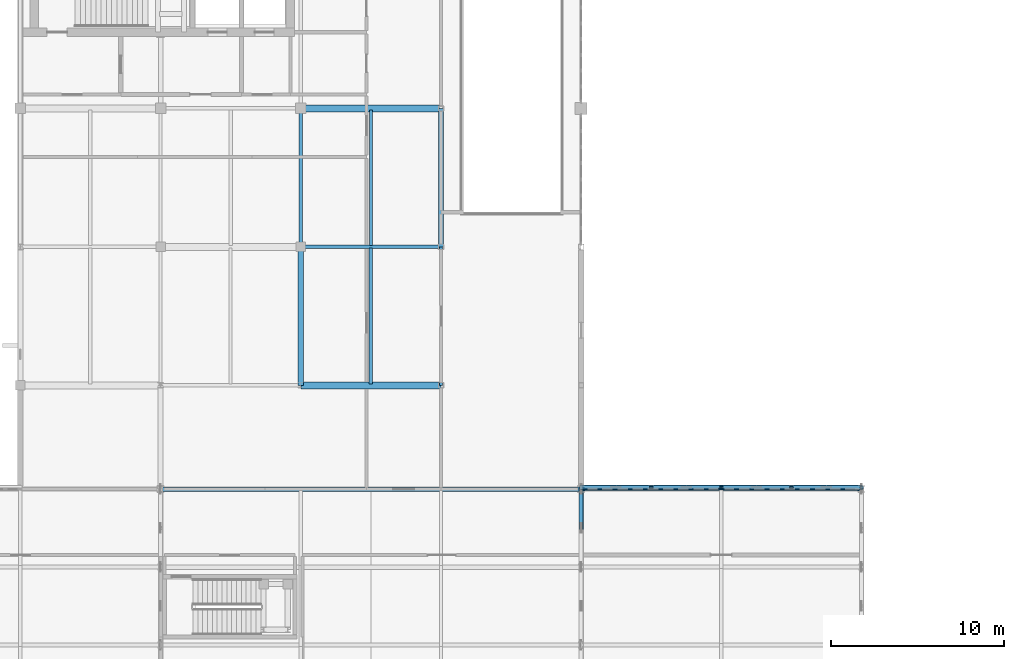
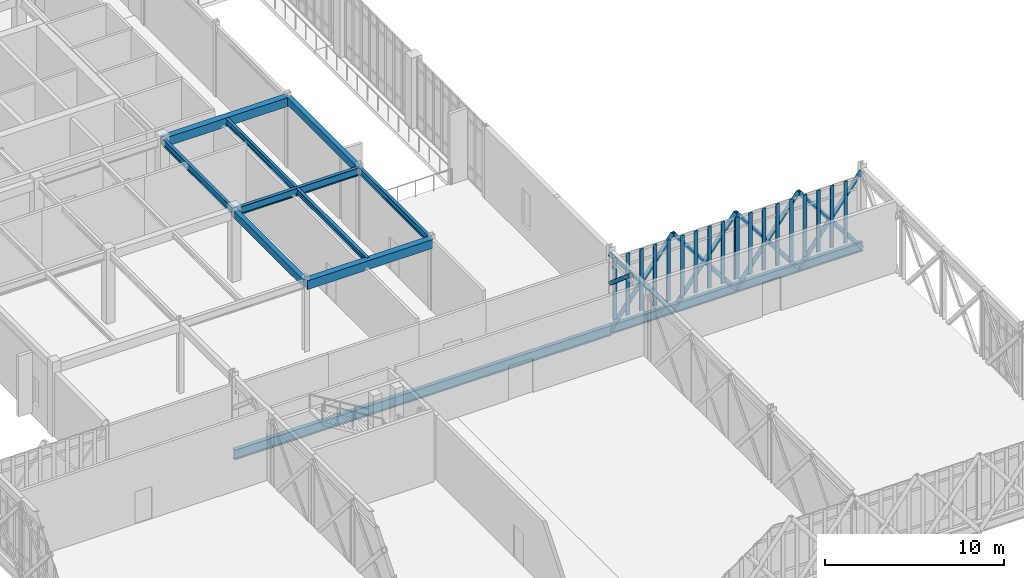
# One storey, part 22 of 107: 32 members, 11 beams, 2 elements without a shape of their own.
"""IFC4 building model written with IfcOpenShell, lengths in metres."""

from ifc_helpers import new_model, si_unit, direction, frame, origin, origin_2d, place, context, subcontext, project, spatial, rectangle, hollow_rectangle, hollow_circle, i_section, extrude, material, material_profile, profile_set, type_object, element, aggregate, save


model = new_model("IFC4")

# Units and contexts
model_context = context("Model", 3, precision=1e-05, world=origin(), true_north=direction((0.0, 1.0)))
body_context = subcontext(model_context, "Body", "Model", "MODEL_VIEW")
ifc_project = project(units=[si_unit("LENGTHUNIT", "METRE"), si_unit("AREAUNIT", "SQUARE_METRE"), si_unit("VOLUMEUNIT", "CUBIC_METRE"), si_unit("PLANEANGLEUNIT", "RADIAN"), si_unit("MASSUNIT", "GRAM", prefix="KILO")], contexts=[model_context])

# Site, building, storey
site_placement = place(None, origin())
site = spatial("IfcSite", under=ifc_project, at=site_placement, CompositionType="ELEMENT")
building_placement = place(site_placement, origin())
building = spatial("IfcBuilding", under=site, at=building_placement, Name="Tarnveldt Square Police Headquarters", CompositionType="ELEMENT")
storey_placement = place(building_placement, frame((0.0, 0.0, 14.699951171875)))
storey = spatial("IfcBuildingStorey", under=building, at=storey_placement, Name="L03", CompositionType="ELEMENT", Elevation=14.699951171875)

# Beams
ifc_material_1 = material(Name="Concrete 40 MPa", Category="concrete")
ifc_material_profile_1 = material_profile(ifc_material_1, rectangle(XDim=0.300048828125, YDim=0.5, at=origin_2d()), Name="RC-B300x500")
ifc_profile_set_1 = profile_set([ifc_material_profile_1], Name="Concrete 40 MPa")
beam_type_1 = type_object("IfcBeamType", Name="BM-RC300x500", PredefinedType="BEAM", material=ifc_profile_set_1)
for number, where, z_axis, x_axis, name in (
    (1, (32.39990234375, 40.0, 4.590087890625), (0.0, 1.0, 0.0), (-1.0, 0.0, 0.0), "L04 Grid Girder Y-0877"),
    (2, (40.5, 48.0, 4.590087890625), (0.0, 1.0, 0.0), (-1.0, 0.0, 0.0), "L04 Grid Girder Y-0886"),
):
    element("IfcBeam", number, at=place(storey_placement, frame(where, z_axis=z_axis, x_axis=x_axis)), inside=storey, type_object=beam_type_1, Name=name, PredefinedType="BEAM", context=body_context, shape_type="SweptSolid", body=[
        extrude(rectangle(XDim=0.300048828125, YDim=0.5, at=origin_2d()), origin(), (0.0, 0.0, 1.0), 8.0),
    ])
ifc_material_profile_2 = material_profile(ifc_material_1, rectangle(XDim=0.39990234375, YDim=0.60009765625, at=origin_2d()), Name="RC-B400x600")
ifc_profile_set_2 = profile_set([ifc_material_profile_2], Name="Concrete 40 MPa")
beam_type_2 = type_object("IfcBeamType", Name="BM-RC400x600", PredefinedType="BEAM", material=ifc_profile_set_2)
for number, where, z_axis, x_axis, name in (
    (3, (32.39990234375, 40.0, 4.5400390625), (1.0, 0.0, 0.0), (0.0, 1.0, 0.0), "L04 Grid Girder X-0808"),
    (4, (32.39990234375, 56.0, 4.5400390625), (1.0, 0.0, 0.0), (0.0, 1.0, 0.0), "L04 Grid Girder X-0814"),
):
    element("IfcBeam", number, at=place(storey_placement, frame(where, z_axis=z_axis, x_axis=x_axis)), inside=storey, type_object=beam_type_2, Name=name, PredefinedType="BEAM", context=body_context, shape_type="SweptSolid", body=[
        extrude(rectangle(XDim=0.39990234375, YDim=0.60009765625, at=origin_2d()), origin(), (0.0, 0.0, 1.0), 8.10009765625),
    ])
ifc_material_2 = material(Name="Steel 350W", Category="steel")
ifc_material_profile_3 = material_profile(ifc_material_2, i_section(OverallWidth=0.205078125, OverallDepth=0.35400390625, WebThickness=0.009521484375, FlangeThickness=0.016845703125, FilletRadius=0.01611328125, at=origin_2d()), Name="W360x79")
ifc_profile_set_3 = profile_set([ifc_material_profile_3], Name="Steel 350W")
beam_type_3 = type_object("IfcBeamType", Name="BM-W360x79", PredefinedType="JOIST", material=ifc_profile_set_3)
beam_1_placement = place(storey_placement, frame((36.449951171875, 40.080078125, 4.6630859375), z_axis=(0.0, 1.0, 0.0), x_axis=(-1.0, 0.0, 0.0)))
element("IfcBeam", 5, at=beam_1_placement, inside=storey, type_object=beam_type_3, Name="L04 Secondary Floor Joist 0182", PredefinedType="JOIST", context=body_context, shape_type="SweptSolid", body=[
    extrude(i_section(OverallWidth=0.205078125, OverallDepth=0.35400390625, WebThickness=0.009521484375, FlangeThickness=0.016845703125, FilletRadius=0.01611328125, at=origin_2d()), origin(), (0.0, 0.0, 1.0), 7.83984375),
])
ifc_material_profile_4 = material_profile(ifc_material_2, i_section(OverallWidth=0.177978515625, OverallDepth=0.406982421875, WebThickness=0.0078125, FlangeThickness=0.0126953125, FilletRadius=0.01611328125, at=origin_2d()), Name="W410x60")
ifc_profile_set_4 = profile_set([ifc_material_profile_4], Name="Steel 350W")
beam_type_4 = type_object("IfcBeamType", Name="BM-W410x60", PredefinedType="JOIST", material=ifc_profile_set_4)
beam_2_placement = place(storey_placement, frame((36.449951171875, 48.080078125, 4.636474609375), z_axis=(0.0, 1.0, 0.0), x_axis=(-1.0, 0.0, 0.0)))
element("IfcBeam", 6, at=beam_2_placement, inside=storey, type_object=beam_type_4, Name="L04 Secondary Floor Joist 0185", PredefinedType="JOIST", context=body_context, shape_type="SweptSolid", body=[
    extrude(i_section(OverallWidth=0.177978515625, OverallDepth=0.406982421875, WebThickness=0.0078125, FlangeThickness=0.0126953125, FilletRadius=0.01611328125, at=origin_2d()), origin(), (0.0, 0.0, 1.0), 7.83984375),
])
ifc_material_profile_5 = material_profile(ifc_material_2, i_section(OverallWidth=0.19189453125, OverallDepth=0.462890625, WebThickness=0.010498046875, FlangeThickness=0.017578125, FilletRadius=0.01806640625, at=origin_2d()), Name="W460x89")
ifc_profile_set_5 = profile_set([ifc_material_profile_5], Name="Steel 350W")
beam_type_5 = type_object("IfcBeamType", Name="BM-W460x89", PredefinedType="BEAM", material=ifc_profile_set_5)
for number, where, z_axis, x_axis, name in (
    (7, (32.39990234375, 48.0, 4.608642578125), (0.0, 1.0, 0.0), (-1.0, 0.0, 0.0), "L04 Grid Girder Y-0878"),
    (8, (40.5, 40.0, 4.608642578125), (0.0, 1.0, 0.0), (-1.0, 0.0, 0.0), "L04 Grid Girder Y-0885"),
):
    element("IfcBeam", number, at=place(storey_placement, frame(where, z_axis=z_axis, x_axis=x_axis)), inside=storey, type_object=beam_type_5, Name=name, PredefinedType="BEAM", context=body_context, shape_type="SweptSolid", body=[
        extrude(i_section(OverallWidth=0.19189453125, OverallDepth=0.462890625, WebThickness=0.010498046875, FlangeThickness=0.017578125, FilletRadius=0.01806640625, at=origin_2d()), origin(), (0.0, 0.0, 1.0), 8.0),
    ])
ifc_material_profile_6 = material_profile(ifc_material_2, i_section(OverallWidth=0.208984375, OverallDepth=0.532958984375, WebThickness=0.01025390625, FlangeThickness=0.015625, FilletRadius=0.01904296875, at=origin_2d()), Name="W530x92")
ifc_profile_set_6 = profile_set([ifc_material_profile_6], Name="Steel 350W")
beam_type_6 = type_object("IfcBeamType", Name="BM-W530x92", PredefinedType="BEAM", material=ifc_profile_set_6)
beam_3_placement = place(storey_placement, frame((32.39990234375, 48.0, 4.573486328125), z_axis=(1.0, 0.0, 0.0), x_axis=(0.0, 1.0, 0.0)))
element("IfcBeam", 9, at=beam_3_placement, inside=storey, type_object=beam_type_6, Name="L04 Grid Girder X-0811", PredefinedType="BEAM", context=body_context, shape_type="SweptSolid", body=[
    extrude(i_section(OverallWidth=0.208984375, OverallDepth=0.532958984375, WebThickness=0.01025390625, FlangeThickness=0.015625, FilletRadius=0.01904296875, at=origin_2d()), origin(), (0.0, 0.0, 1.0), 8.10009765625),
])
ifc_material_profile_7 = material_profile(ifc_material_2, i_section(OverallWidth=0.22900390625, OverallDepth=0.612060546875, WebThickness=0.011962890625, FlangeThickness=0.01953125, FilletRadius=0.01904296875, at=origin_2d()), Name="W610x125")
ifc_profile_set_7 = profile_set([ifc_material_profile_7], Name="Steel 350W")
beam_type_7 = type_object("IfcBeamType", Name="BM-W610x125", PredefinedType="BEAM", material=ifc_profile_set_7)
beam_4_placement = place(storey_placement, frame((48.60009765625, 34.0, -0.56591796875), z_axis=(1.0, 0.0, 0.0), x_axis=(0.0, 1.0, 0.0)))
element("IfcBeam", 10, at=beam_4_placement, inside=storey, type_object=beam_type_7, Name="Command Lantern L03 Transverse Girder 3.0", PredefinedType="BEAM", context=body_context, shape_type="SweptSolid", body=[
    extrude(i_section(OverallWidth=0.22900390625, OverallDepth=0.612060546875, WebThickness=0.011962890625, FlangeThickness=0.01953125, FilletRadius=0.01904296875, at=origin_2d()), origin(), (0.0, 0.0, 1.0), 16.199951171875),
])
ifc_material_profile_8 = material_profile(ifc_material_2, i_section(OverallWidth=0.25390625, OverallDepth=0.68798828125, WebThickness=0.01318359375, FlangeThickness=0.02099609375, FilletRadius=0.02001953125, at=origin_2d()), Name="W690x152")
ifc_profile_set_8 = profile_set([ifc_material_profile_8], Name="Steel 350W")
beam_type_8 = type_object("IfcBeamType", Name="BM-W690x152", PredefinedType="BEAM", material=ifc_profile_set_8)
beam_5_placement = place(storey_placement, frame((24.300048828125, 34.0, -0.60400390625), z_axis=(1.0, 0.0, 0.0), x_axis=(0.0, 1.0, 0.0)))
element("IfcBeam", 11, at=beam_5_placement, inside=storey, type_object=beam_type_8, Name="Command Lantern L03 Transverse Girder 2.0", PredefinedType="BEAM", context=body_context, shape_type="SweptSolid", body=[
    extrude(i_section(OverallWidth=0.25390625, OverallDepth=0.68798828125, WebThickness=0.01318359375, FlangeThickness=0.02099609375, FilletRadius=0.02001953125, at=origin_2d()), origin(), (0.0, 0.0, 1.0), 24.300048828125),
])

# Curtain wall, members
ifc_material_3 = material(Name="UL 752 Level III laminated ballistic vision glass", Category="glass")
curtain_wall_type = type_object("IfcCurtainWallType", Name="CW-BL-790x422", PredefinedType="USERDEFINED", material=ifc_material_3)
curtain_wall_1_placement = place(storey_placement, origin())
curtain_wall_1 = element("IfcCurtainWall", 12, at=curtain_wall_1_placement, inside=storey, type_object=curtain_wall_type, Name="L03 Curtain Wall CW-L03-031", ObjectType="BALLISTIC CURTAIN WALL", PredefinedType="USERDEFINED")
ifc_material_4 = material(Name="Thermally broken anodised aluminium 6063-T6", Category="aluminium")
ifc_material_profile_9 = material_profile(ifc_material_4, rectangle(XDim=0.0849609375, YDim=0.239990234375, at=origin_2d()), Name="CW-M85x240")
ifc_profile_set_9 = profile_set([ifc_material_profile_9], Name="Thermally broken anodised aluminium 6063-T6")
member_type_1 = type_object("IfcMemberType", Name="CWM-85x240", PredefinedType="MULLION", material=ifc_profile_set_9)
member_1_placement = place(storey_placement, frame((48.844482421875, 34.0, 0.0), z_axis=(0.0, 0.0, 1.0), x_axis=(0.0, 1.0, 0.0)))
member_1 = element("IfcMember", 13, at=member_1_placement, type_object=member_type_1, Name="CW-BL14 mullion 1", PredefinedType="MULLION", context=body_context, shape_type="SweptSolid", body=[
    extrude(rectangle(XDim=0.0849609375, YDim=0.239990234375, at=origin_2d()), origin(), (0.0, 0.0, 1.0), 4.219970703125),
])
member_2_placement = place(storey_placement, frame((49.679443359375, 34.0, 0.0), z_axis=(0.0, 0.0, 1.0), x_axis=(0.0, 1.0, 0.0)))
member_2 = element("IfcMember", 14, at=member_2_placement, type_object=member_type_1, Name="CW-BL14 mullion 2", PredefinedType="MULLION", context=body_context, shape_type="SweptSolid", body=[
    extrude(rectangle(XDim=0.0849609375, YDim=0.239990234375, at=origin_2d()), origin(), (0.0, 0.0, 1.0), 4.219970703125),
])
member_3_placement = place(storey_placement, frame((50.55712890625, 34.0, 0.0), z_axis=(0.0, 0.0, 1.0), x_axis=(0.0, 1.0, 0.0)))
member_3 = element("IfcMember", 15, at=member_3_placement, type_object=member_type_1, Name="CW-BL14 mullion 3", PredefinedType="MULLION", context=body_context, shape_type="SweptSolid", body=[
    extrude(rectangle(XDim=0.0849609375, YDim=0.239990234375, at=origin_2d()), origin(), (0.0, 0.0, 1.0), 4.219970703125),
])
member_4_placement = place(storey_placement, frame((51.4345703125, 34.0, 0.0), z_axis=(0.0, 0.0, 1.0), x_axis=(0.0, 1.0, 0.0)))
member_4 = element("IfcMember", 16, at=member_4_placement, type_object=member_type_1, Name="CW-BL14 mullion 4", PredefinedType="MULLION", context=body_context, shape_type="SweptSolid", body=[
    extrude(rectangle(XDim=0.0849609375, YDim=0.239990234375, at=origin_2d()), origin(), (0.0, 0.0, 1.0), 4.219970703125),
])
member_5_placement = place(storey_placement, frame((52.312255859375, 34.0, 0.0), z_axis=(0.0, 0.0, 1.0), x_axis=(0.0, 1.0, 0.0)))
member_5 = element("IfcMember", 17, at=member_5_placement, type_object=member_type_1, Name="CW-BL14 mullion 5", PredefinedType="MULLION", context=body_context, shape_type="SweptSolid", body=[
    extrude(rectangle(XDim=0.0849609375, YDim=0.239990234375, at=origin_2d()), origin(), (0.0, 0.0, 1.0), 4.219970703125),
])
member_6_placement = place(storey_placement, frame((53.189697265625, 34.0, 0.0), z_axis=(0.0, 0.0, 1.0), x_axis=(0.0, 1.0, 0.0)))
member_6 = element("IfcMember", 18, at=member_6_placement, type_object=member_type_1, Name="CW-BL14 mullion 6", PredefinedType="MULLION", context=body_context, shape_type="SweptSolid", body=[
    extrude(rectangle(XDim=0.0849609375, YDim=0.239990234375, at=origin_2d()), origin(), (0.0, 0.0, 1.0), 4.219970703125),
])
member_7_placement = place(storey_placement, frame((54.0673828125, 34.0, 0.0), z_axis=(0.0, 0.0, 1.0), x_axis=(0.0, 1.0, 0.0)))
member_7 = element("IfcMember", 19, at=member_7_placement, type_object=member_type_1, Name="CW-BL14 mullion 7", PredefinedType="MULLION", context=body_context, shape_type="SweptSolid", body=[
    extrude(rectangle(XDim=0.0849609375, YDim=0.239990234375, at=origin_2d()), origin(), (0.0, 0.0, 1.0), 4.219970703125),
])
member_8_placement = place(storey_placement, frame((54.94482421875, 34.0, 0.0), z_axis=(0.0, 0.0, 1.0), x_axis=(0.0, 1.0, 0.0)))
member_8 = element("IfcMember", 20, at=member_8_placement, type_object=member_type_1, Name="CW-BL14 mullion 8", PredefinedType="MULLION", context=body_context, shape_type="SweptSolid", body=[
    extrude(rectangle(XDim=0.0849609375, YDim=0.239990234375, at=origin_2d()), origin(), (0.0, 0.0, 1.0), 4.219970703125),
])
member_9_placement = place(storey_placement, frame((55.822509765625, 34.0, 0.0), z_axis=(0.0, 0.0, 1.0), x_axis=(0.0, 1.0, 0.0)))
member_9 = element("IfcMember", 21, at=member_9_placement, type_object=member_type_1, Name="CW-BL14 mullion 9", PredefinedType="MULLION", context=body_context, shape_type="SweptSolid", body=[
    extrude(rectangle(XDim=0.0849609375, YDim=0.239990234375, at=origin_2d()), origin(), (0.0, 0.0, 1.0), 4.219970703125),
])
member_10_placement = place(storey_placement, frame((56.657470703125, 34.0, 0.0), z_axis=(0.0, 0.0, 1.0), x_axis=(0.0, 1.0, 0.0)))
member_10 = element("IfcMember", 22, at=member_10_placement, type_object=member_type_1, Name="CW-BL14 mullion 10", PredefinedType="MULLION", context=body_context, shape_type="SweptSolid", body=[
    extrude(rectangle(XDim=0.0849609375, YDim=0.239990234375, at=origin_2d()), origin(), (0.0, 0.0, 1.0), 4.219970703125),
])
aggregate(curtain_wall_1, [member_1, member_2, member_3, member_4, member_5, member_6, member_7, member_8, member_9, member_10])

curtain_wall_2_placement = place(storey_placement, origin())
curtain_wall_2 = element("IfcCurtainWall", 23, at=curtain_wall_2_placement, inside=storey, type_object=curtain_wall_type, Name="L03 Curtain Wall CW-L03-032", ObjectType="BALLISTIC CURTAIN WALL", PredefinedType="USERDEFINED")
member_11_placement = place(storey_placement, frame((56.742431640625, 34.0, 0.0), z_axis=(0.0, 0.0, 1.0), x_axis=(0.0, 1.0, 0.0)))
member_11 = element("IfcMember", 24, at=member_11_placement, type_object=member_type_1, Name="CW-BL14 mullion 1", PredefinedType="MULLION", context=body_context, shape_type="SweptSolid", body=[
    extrude(rectangle(XDim=0.0849609375, YDim=0.239990234375, at=origin_2d()), origin(), (0.0, 0.0, 1.0), 4.219970703125),
])
member_12_placement = place(storey_placement, frame((57.57763671875, 34.0, 0.0), z_axis=(0.0, 0.0, 1.0), x_axis=(0.0, 1.0, 0.0)))
member_12 = element("IfcMember", 25, at=member_12_placement, type_object=member_type_1, Name="CW-BL14 mullion 2", PredefinedType="MULLION", context=body_context, shape_type="SweptSolid", body=[
    extrude(rectangle(XDim=0.0849609375, YDim=0.239990234375, at=origin_2d()), origin(), (0.0, 0.0, 1.0), 4.219970703125),
])
member_13_placement = place(storey_placement, frame((58.455078125, 34.0, 0.0), z_axis=(0.0, 0.0, 1.0), x_axis=(0.0, 1.0, 0.0)))
member_13 = element("IfcMember", 26, at=member_13_placement, type_object=member_type_1, Name="CW-BL14 mullion 3", PredefinedType="MULLION", context=body_context, shape_type="SweptSolid", body=[
    extrude(rectangle(XDim=0.0849609375, YDim=0.239990234375, at=origin_2d()), origin(), (0.0, 0.0, 1.0), 4.219970703125),
])
member_14_placement = place(storey_placement, frame((59.332763671875, 34.0, 0.0), z_axis=(0.0, 0.0, 1.0), x_axis=(0.0, 1.0, 0.0)))
member_14 = element("IfcMember", 27, at=member_14_placement, type_object=member_type_1, Name="CW-BL14 mullion 4", PredefinedType="MULLION", context=body_context, shape_type="SweptSolid", body=[
    extrude(rectangle(XDim=0.0849609375, YDim=0.239990234375, at=origin_2d()), origin(), (0.0, 0.0, 1.0), 4.219970703125),
])
member_15_placement = place(storey_placement, frame((60.210205078125, 34.0, 0.0), z_axis=(0.0, 0.0, 1.0), x_axis=(0.0, 1.0, 0.0)))
member_15 = element("IfcMember", 28, at=member_15_placement, type_object=member_type_1, Name="CW-BL14 mullion 5", PredefinedType="MULLION", context=body_context, shape_type="SweptSolid", body=[
    extrude(rectangle(XDim=0.0849609375, YDim=0.239990234375, at=origin_2d()), origin(), (0.0, 0.0, 1.0), 4.219970703125),
])
member_16_placement = place(storey_placement, frame((61.087890625, 34.0, 0.0), z_axis=(0.0, 0.0, 1.0), x_axis=(0.0, 1.0, 0.0)))
member_16 = element("IfcMember", 29, at=member_16_placement, type_object=member_type_1, Name="CW-BL14 mullion 6", PredefinedType="MULLION", context=body_context, shape_type="SweptSolid", body=[
    extrude(rectangle(XDim=0.0849609375, YDim=0.239990234375, at=origin_2d()), origin(), (0.0, 0.0, 1.0), 4.219970703125),
])
member_17_placement = place(storey_placement, frame((61.96533203125, 34.0, 0.0), z_axis=(0.0, 0.0, 1.0), x_axis=(0.0, 1.0, 0.0)))
member_17 = element("IfcMember", 30, at=member_17_placement, type_object=member_type_1, Name="CW-BL14 mullion 7", PredefinedType="MULLION", context=body_context, shape_type="SweptSolid", body=[
    extrude(rectangle(XDim=0.0849609375, YDim=0.239990234375, at=origin_2d()), origin(), (0.0, 0.0, 1.0), 4.219970703125),
])
member_18_placement = place(storey_placement, frame((62.8427734375, 34.0, 0.0), z_axis=(0.0, 0.0, 1.0), x_axis=(0.0, 1.0, 0.0)))
member_18 = element("IfcMember", 31, at=member_18_placement, type_object=member_type_1, Name="CW-BL14 mullion 8", PredefinedType="MULLION", context=body_context, shape_type="SweptSolid", body=[
    extrude(rectangle(XDim=0.0849609375, YDim=0.239990234375, at=origin_2d()), origin(), (0.0, 0.0, 1.0), 4.219970703125),
])
member_19_placement = place(storey_placement, frame((63.720458984375, 34.0, 0.0), z_axis=(0.0, 0.0, 1.0), x_axis=(0.0, 1.0, 0.0)))
member_19 = element("IfcMember", 32, at=member_19_placement, type_object=member_type_1, Name="CW-BL14 mullion 9", PredefinedType="MULLION", context=body_context, shape_type="SweptSolid", body=[
    extrude(rectangle(XDim=0.0849609375, YDim=0.239990234375, at=origin_2d()), origin(), (0.0, 0.0, 1.0), 4.219970703125),
])
aggregate(curtain_wall_2, [member_11, member_12, member_13, member_14, member_15, member_16, member_17, member_18, member_19])

# Members
ifc_material_profile_10 = material_profile(ifc_material_2, hollow_rectangle(XDim=0.25390625, YDim=0.25390625, WallThickness=0.0126953125, InnerFilletRadius=0.0126953125, OuterFilletRadius=0.025390625, at=origin_2d()), Name="HSS254x254x13")
ifc_profile_set_10 = profile_set([ifc_material_profile_10], Name="Steel 350W")
member_type_2 = type_object("IfcMemberType", Name="MEM-CT-WEB2", PredefinedType="BRACE", material=ifc_profile_set_10)
member_20_placement = place(storey_placement, frame((48.60009765625, 34.0, 2.550048828125), z_axis=(0.0, -0.762861692036, 0.646561705349), x_axis=(1.0, 0.0, 0.0)))
element("IfcMember", 33, at=member_20_placement, inside=storey, type_object=member_type_2, Name="Cantilever Truss CT-3 L03 Portal Brace A1", PredefinedType="BRACE", context=body_context, shape_type="SweptSolid", body=[
    extrude(hollow_rectangle(XDim=0.25390625, YDim=0.25390625, WallThickness=0.0126953125, InnerFilletRadius=0.0126953125, OuterFilletRadius=0.025390625, at=origin_2d()), origin(), (0.0, 0.0, 1.0), 2.949462890625),
])
ifc_material_profile_11 = material_profile(ifc_material_2, hollow_circle(Radius=0.136474609375, WallThickness=0.0126953125, at=origin_2d()), Name="HSS273x13")
ifc_profile_set_11 = profile_set([ifc_material_profile_11], Name="Steel 350W")
member_type_3 = type_object("IfcMemberType", Name="MEM-LT-DIAG1", PredefinedType="BRACE", material=ifc_profile_set_11)
member_21_placement = place(storey_placement, frame((48.60009765625, 34.10009765625, -0.742919921875), z_axis=(0.614450808426, 0.0, 0.788955134354), x_axis=(0.0, 1.0, 0.0)))
element("IfcMember", 34, at=member_21_placement, inside=storey, type_object=member_type_3, Name="Command Lantern N Steel Lattice Brace 6.1A", PredefinedType="BRACE", context=body_context, shape_type="SweptSolid", body=[
    extrude(hollow_circle(Radius=0.136474609375, WallThickness=0.0126953125, at=origin_2d()), origin(), (0.0, 0.0, 1.0), 6.5908203125),
])
for number, where, z_axis, x_axis, name in (
    (35, (52.64990234375, 34.10009765625, -0.742919921875), (-0.614475574544, 0.0, 0.788935845484), (0.0, -1.0, 0.0), "Command Lantern N Steel Lattice Brace 6.1B Lower"),
    (36, (50.502197265625, 34.10009765625, 2.014892578125), (-0.614475574544, 0.0, 0.788935845484), (0.0, -1.0, 0.0), "Command Lantern N Steel Lattice Brace 6.1B Upper"),
):
    element("IfcMember", number, at=place(storey_placement, frame(where, z_axis=z_axis, x_axis=x_axis)), inside=storey, type_object=member_type_3, Name=name, PredefinedType="BRACE", context=body_context, shape_type="SweptSolid", body=[
        extrude(hollow_circle(Radius=0.136474609375, WallThickness=0.0126953125, at=origin_2d()), origin(), (0.0, 0.0, 1.0), 3.095458984375),
    ])
member_22_placement = place(storey_placement, frame((52.64990234375, 34.10009765625, -0.742919921875), z_axis=(0.614473864369, 0.0, 0.788937177478), x_axis=(0.0, 1.0, 0.0)))
element("IfcMember", 37, at=member_22_placement, inside=storey, type_object=member_type_3, Name="Command Lantern N Steel Lattice Brace 6.2A", PredefinedType="BRACE", context=body_context, shape_type="SweptSolid", body=[
    extrude(hollow_circle(Radius=0.136474609375, WallThickness=0.0126953125, at=origin_2d()), origin(), (0.0, 0.0, 1.0), 6.591064453125),
])
for number, where, z_axis, x_axis, name in (
    (38, (56.699951171875, 34.10009765625, -0.742919921875), (-0.614475574544, 0.0, 0.788935845484), (0.0, -1.0, 0.0), "Command Lantern N Steel Lattice Brace 6.2B Lower"),
    (39, (54.552001953125, 34.10009765625, 2.014892578125), (-0.614475574544, 0.0, 0.788935845484), (0.0, -1.0, 0.0), "Command Lantern N Steel Lattice Brace 6.2B Upper"),
):
    element("IfcMember", number, at=place(storey_placement, frame(where, z_axis=z_axis, x_axis=x_axis)), inside=storey, type_object=member_type_3, Name=name, PredefinedType="BRACE", context=body_context, shape_type="SweptSolid", body=[
        extrude(hollow_circle(Radius=0.136474609375, WallThickness=0.0126953125, at=origin_2d()), origin(), (0.0, 0.0, 1.0), 3.095458984375),
    ])
member_23_placement = place(storey_placement, frame((56.699951171875, 34.10009765625, -0.742919921875), z_axis=(0.614473864369, 0.0, 0.788937177478), x_axis=(0.0, 1.0, 0.0)))
element("IfcMember", 40, at=member_23_placement, inside=storey, type_object=member_type_3, Name="Command Lantern N Steel Lattice Brace 7.1A", PredefinedType="BRACE", context=body_context, shape_type="SweptSolid", body=[
    extrude(hollow_circle(Radius=0.136474609375, WallThickness=0.0126953125, at=origin_2d()), origin(), (0.0, 0.0, 1.0), 6.591064453125),
])
for number, where, z_axis, x_axis, name in (
    (41, (60.75, 34.10009765625, -0.742919921875), (-0.614475574544, 0.0, 0.788935845484), (0.0, -1.0, 0.0), "Command Lantern N Steel Lattice Brace 7.1B Lower"),
    (42, (58.60205078125, 34.10009765625, 2.014892578125), (-0.614475574544, 0.0, 0.788935845484), (0.0, -1.0, 0.0), "Command Lantern N Steel Lattice Brace 7.1B Upper"),
):
    element("IfcMember", number, at=place(storey_placement, frame(where, z_axis=z_axis, x_axis=x_axis)), inside=storey, type_object=member_type_3, Name=name, PredefinedType="BRACE", context=body_context, shape_type="SweptSolid", body=[
        extrude(hollow_circle(Radius=0.136474609375, WallThickness=0.0126953125, at=origin_2d()), origin(), (0.0, 0.0, 1.0), 3.095458984375),
    ])
member_24_placement = place(storey_placement, frame((60.75, 34.10009765625, -0.742919921875), z_axis=(0.614473864369, 0.0, 0.788937177478), x_axis=(0.0, 1.0, 0.0)))
element("IfcMember", 43, at=member_24_placement, inside=storey, type_object=member_type_3, Name="Command Lantern N Steel Lattice Brace 7.2A", PredefinedType="BRACE", context=body_context, shape_type="SweptSolid", body=[
    extrude(hollow_circle(Radius=0.136474609375, WallThickness=0.0126953125, at=origin_2d()), origin(), (0.0, 0.0, 1.0), 6.591064453125),
])
for number, where, z_axis, x_axis, name in (
    (44, (64.800048828125, 34.10009765625, -0.742919921875), (-0.614475574544, 0.0, 0.788935845484), (0.0, -1.0, 0.0), "Command Lantern N Steel Lattice Brace 7.2B Lower"),
    (45, (62.652099609375, 34.10009765625, 2.014892578125), (-0.614475574544, 0.0, 0.788935845484), (0.0, -1.0, 0.0), "Command Lantern N Steel Lattice Brace 7.2B Upper"),
):
    element("IfcMember", number, at=place(storey_placement, frame(where, z_axis=z_axis, x_axis=x_axis)), inside=storey, type_object=member_type_3, Name=name, PredefinedType="BRACE", context=body_context, shape_type="SweptSolid", body=[
        extrude(hollow_circle(Radius=0.136474609375, WallThickness=0.0126953125, at=origin_2d()), origin(), (0.0, 0.0, 1.0), 3.095458984375),
    ])

save(model, "model.ifc")
